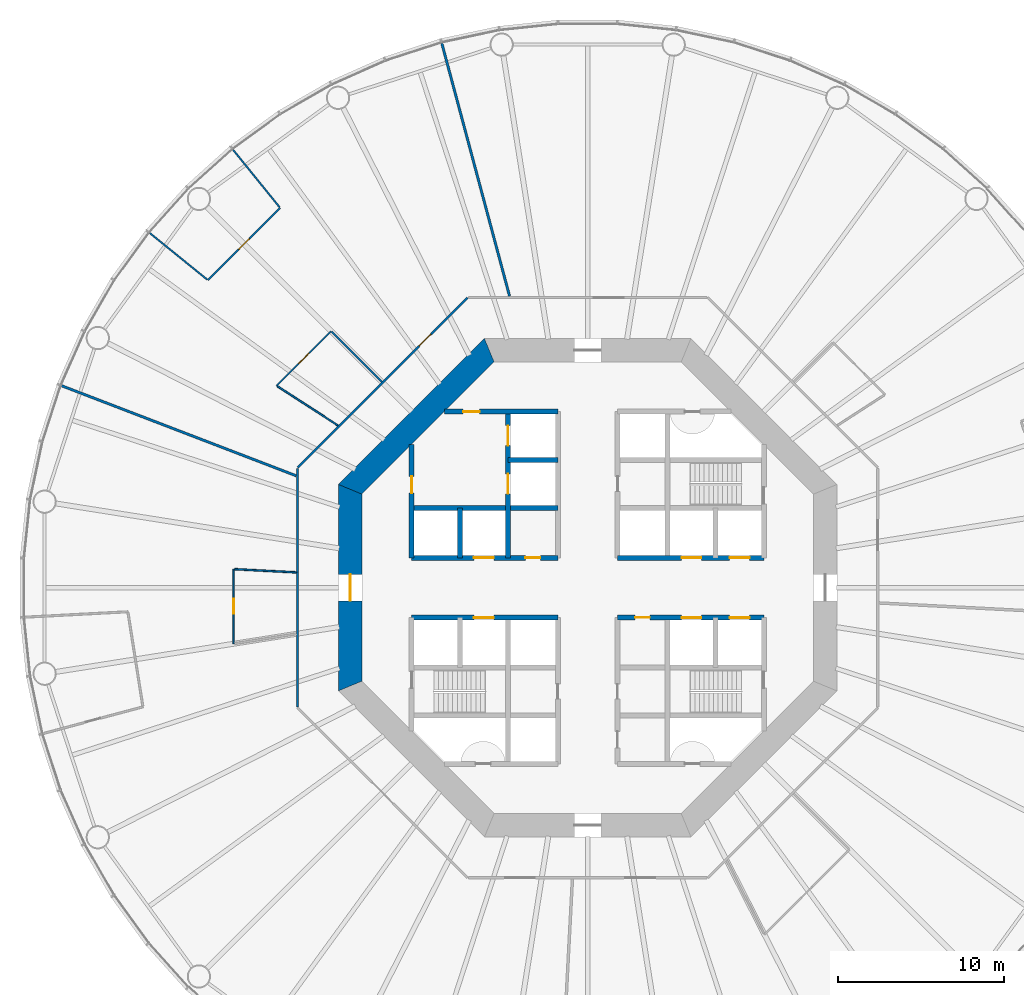
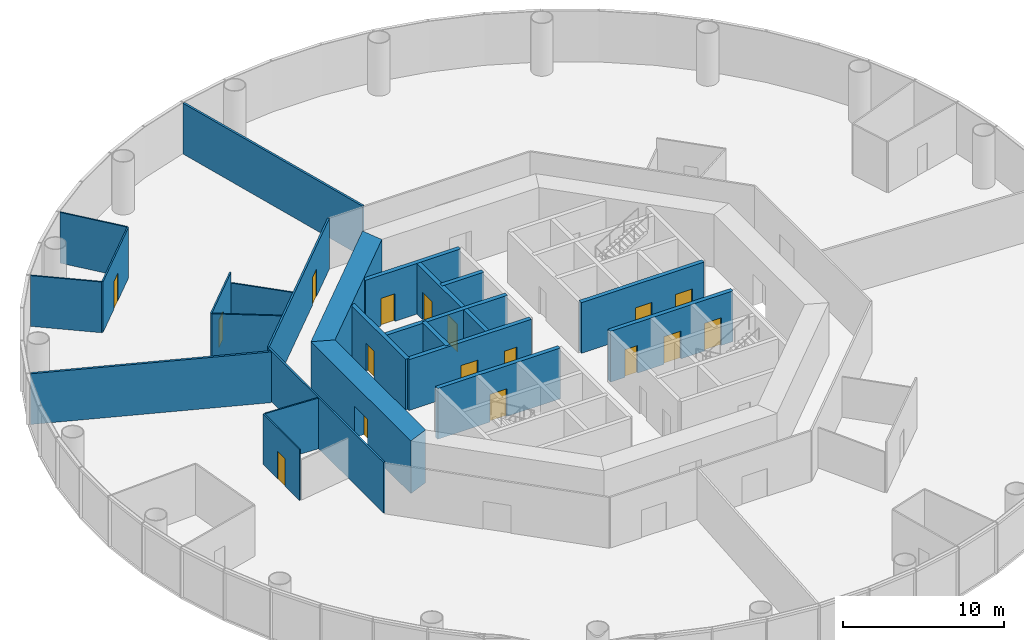
# One storey, part 4 of 12: 24 walls, 17 doors, 17 openings.
"""IFC4 building model written with IfcOpenShell, lengths in metres."""

from ifc_helpers import new_model, si_unit, direction, frame, frame_2d, origin, place, context, subcontext, project, spatial, polyline, rectangle, outline, extrude, material, layer, layer_set, type_object, element, fill, save


model = new_model("IFC4")

# Units and contexts
model_context = context("Model", 3, precision=1e-05, world=origin(), true_north=direction((0.0, 1.0)))
body_context = subcontext(model_context, "Body", "Model", "MODEL_VIEW")
ifc_project = project(units=[si_unit("LENGTHUNIT", "METRE"), si_unit("AREAUNIT", "SQUARE_METRE"), si_unit("VOLUMEUNIT", "CUBIC_METRE"), si_unit("PLANEANGLEUNIT", "RADIAN"), si_unit("MASSUNIT", "GRAM", prefix="KILO")], contexts=[model_context])

# Site, building, storey
site_placement = place(None, origin())
site = spatial("IfcSite", under=ifc_project, at=site_placement, CompositionType="ELEMENT")
building_placement = place(site_placement, origin())
building = spatial("IfcBuilding", under=site, at=building_placement, Name="Entoto Ring Tower", CompositionType="ELEMENT")
storey_placement = place(building_placement, frame((0.0, 0.0, 66.0)))
storey = spatial("IfcBuildingStorey", under=building, at=storey_placement, Name="L14", CompositionType="ELEMENT", Elevation=66.0)

# Wall, openings, doors
ifc_material_1 = material(Name="Concrete C40/50", Category="concrete")
ifc_layer_1 = layer(ifc_material_1, 0.300048828125)
ifc_layer_set_1 = layer_set([ifc_layer_1], Name="Concrete C40/50")
wall_type_1 = type_object("IfcWallType", Name="Core enclosure wall 300 mm reinforced concrete", PredefinedType="SOLIDWALL", material=ifc_layer_set_1)
wall_1_placement = place(storey_placement, frame((85.199951171875, 81.800048828125, 0.0), z_axis=(0.0, 0.0, 1.0), x_axis=(0.0, 1.0, 0.0)))
wall_1 = element("IfcWall", 1, at=wall_1_placement, inside=storey, type_object=wall_type_1, Name="wall-L14-012", PredefinedType="SOLIDWALL", context=body_context, shape_type="SweptSolid", body=[
    extrude(rectangle(XDim=8.800048828125, YDim=0.300048828125, at=frame_2d((4.39990234375, 0.0))), origin(), (0.0, 0.0, 1.0), 3.85009765625),
])
opening_1_placement = place(wall_1_placement, frame((3.85009765625, 0.0, 0.0)))
opening_1 = element("IfcOpeningElement", 2, at=opening_1_placement, cuts=wall_1, Name="Opening LD", PredefinedType="OPENING", context=body_context, shape_type="SweptSolid", body=[
    extrude(rectangle(XDim=1.199951171875, YDim=2.10009765625, at=frame_2d((0.60009765625, 1.050048828125))), frame((0.0, 0.16015625, 0.0), z_axis=(0.0, -1.0, 0.0), x_axis=(1.0, 0.0, 0.0)), (0.0, 0.0, 1.0), 0.320068359375),
])
opening_2_placement = place(wall_1_placement, frame((6.75, 0.0, 0.0)))
opening_2 = element("IfcOpeningElement", 3, at=opening_2_placement, cuts=wall_1, Name="Opening LD", PredefinedType="OPENING", context=body_context, shape_type="SweptSolid", body=[
    extrude(rectangle(XDim=1.199951171875, YDim=2.10009765625, at=frame_2d((0.60009765625, 1.050048828125))), frame((0.0, 0.16015625, 0.0), z_axis=(0.0, -1.0, 0.0), x_axis=(1.0, 0.0, 0.0)), (0.0, 0.0, 1.0), 0.320068359375),
])
ifc_material_2 = material(Name="Steel and glass door leaf", Category="steel")
ifc_layer_2 = layer(ifc_material_2, 0.050048828125)
ifc_layer_set_2 = layer_set([ifc_layer_2], Name="Steel and glass door leaf")
door_type_1 = type_object("IfcDoorType", Name="Landing door 1200 x 2100 sliding", OperationType="DOUBLE_DOOR_SLIDING", PredefinedType="DOOR", material=ifc_layer_set_2)
door_1_placement = place(opening_1_placement, origin())
door_1 = element("IfcDoor", 4, at=door_1_placement, inside=storey, type_object=door_type_1, Name="Landing door FF1", OperationType="SLIDING_TO_RIGHT", OverallHeight=2.10009765625, OverallWidth=1.199951171875, PredefinedType="DOOR", context=body_context, shape_type="SweptSolid", body=[
    extrude(rectangle(XDim=1.199951171875, YDim=2.10009765625, at=frame_2d((0.60009765625, 1.050048828125))), frame((0.0, 0.02490234375, 0.0), z_axis=(0.0, -1.0, 0.0), x_axis=(1.0, 0.0, 0.0)), (0.0, 0.0, 1.0), 0.050048828125),
])
fill(opening_1, door_1)
door_2_placement = place(opening_2_placement, origin())
door_2 = element("IfcDoor", 5, at=door_2_placement, inside=storey, type_object=door_type_1, Name="Landing door FF2", OperationType="SLIDING_TO_RIGHT", OverallHeight=2.10009765625, OverallWidth=1.199951171875, PredefinedType="DOOR", context=body_context, shape_type="SweptSolid", body=[
    extrude(rectangle(XDim=1.199951171875, YDim=2.10009765625, at=frame_2d((0.60009765625, 1.050048828125))), frame((0.0, 0.02490234375, 0.0), z_axis=(0.0, -1.0, 0.0), x_axis=(1.0, 0.0, 0.0)), (0.0, 0.0, 1.0), 0.050048828125),
])
fill(opening_2, door_2)

# Wall
wall_2_placement = place(storey_placement, frame((82.300048828125, 81.800048828125, 0.0), z_axis=(0.0, 0.0, 1.0), x_axis=(0.0, 1.0, 0.0)))
element("IfcWall", 6, at=wall_2_placement, inside=storey, type_object=wall_type_1, Name="wall-L14-014", PredefinedType="SOLIDWALL", context=body_context, shape_type="SweptSolid", body=[
    extrude(rectangle(XDim=3.0, YDim=0.300048828125, at=frame_2d((1.5, 0.0))), origin(), (0.0, 0.0, 1.0), 3.85009765625),
])

# Wall, opening, door
wall_3_placement = place(storey_placement, frame((79.39990234375, 81.800048828125, 0.0), z_axis=(0.0, 0.0, 1.0), x_axis=(0.0, 1.0, 0.0)))
wall_3 = element("IfcWall", 7, at=wall_3_placement, inside=storey, type_object=wall_type_1, Name="wall-L14-016", PredefinedType="SOLIDWALL", context=body_context, shape_type="SweptSolid", body=[
    extrude(rectangle(XDim=6.833251953125, YDim=0.300048828125, at=frame_2d((3.41650390625, 0.0))), origin(), (0.0, 0.0, 1.0), 3.85009765625),
])
opening_3_placement = place(wall_3_placement, frame((3.89990234375, 0.0, 0.0)))
opening_3 = element("IfcOpeningElement", 8, at=opening_3_placement, cuts=wall_3, Name="Opening K-23", PredefinedType="OPENING", context=body_context, shape_type="SweptSolid", body=[
    extrude(rectangle(XDim=1.0, YDim=2.10009765625, at=frame_2d((0.5, 1.050048828125))), frame((0.0, 0.16015625, 0.0), z_axis=(0.0, -1.0, 0.0), x_axis=(1.0, 0.0, 0.0)), (0.0, 0.0, 1.0), 0.320068359375),
])
ifc_material_3 = material(Name="Steel door leaf, fire rated", Category="steel")
ifc_layer_3 = layer(ifc_material_3, 0.050048828125)
ifc_layer_set_3 = layer_set([ifc_layer_3], Name="Steel door leaf, fire rated")
door_type_2 = type_object("IfcDoorType", Name="Fire door FD60 1000 x 2100 single leaf", OperationType="NOTDEFINED", PredefinedType="DOOR", material=ifc_layer_set_3)
door_3_placement = place(opening_3_placement, frame((1.0, 0.0, 0.0), z_axis=(0.0, 0.0, 1.0), x_axis=(-1.0, 0.0, 0.0)))
door_3 = element("IfcDoor", 9, at=door_3_placement, inside=storey, type_object=door_type_2, Name="Door K-23", OperationType="SINGLE_SWING_LEFT", OverallHeight=2.10009765625, OverallWidth=1.0, PredefinedType="DOOR", context=body_context, shape_type="SweptSolid", body=[
    extrude(rectangle(XDim=1.0, YDim=2.10009765625, at=frame_2d((0.5, 1.050048828125))), frame((0.0, 0.02490234375, 0.0), z_axis=(0.0, -1.0, 0.0), x_axis=(1.0, 0.0, 0.0)), (0.0, 0.0, 1.0), 0.050048828125),
])
fill(opening_3, door_3)

wall_4_placement = place(storey_placement, frame((79.39990234375, 78.199951171875, 0.0), z_axis=(0.0, 0.0, 1.0), x_axis=(1.0, 0.0, 0.0)))
wall_4 = element("IfcWall", 10, at=wall_4_placement, inside=storey, type_object=wall_type_1, Name="wall-L14-023", PredefinedType="SOLIDWALL", context=body_context, shape_type="SweptSolid", body=[
    extrude(rectangle(XDim=8.800048828125, YDim=0.300048828125, at=frame_2d((4.39990234375, 0.0))), origin(), (0.0, 0.0, 1.0), 3.85009765625),
])
opening_4_placement = place(wall_4_placement, frame((3.75, 0.0, 0.0)))
opening_4 = element("IfcOpeningElement", 11, at=opening_4_placement, cuts=wall_4, Name="Opening LD", PredefinedType="OPENING", context=body_context, shape_type="SweptSolid", body=[
    extrude(rectangle(XDim=1.199951171875, YDim=2.10009765625, at=frame_2d((0.60009765625, 1.050048828125))), frame((0.0, 0.16015625, 0.0), z_axis=(0.0, -1.0, 0.0), x_axis=(1.0, 0.0, 0.0)), (0.0, 0.0, 1.0), 0.320068359375),
])
door_4_placement = place(opening_4_placement, origin())
door_4 = element("IfcDoor", 12, at=door_4_placement, inside=storey, type_object=door_type_1, Name="Landing door LB6-LR", OperationType="SLIDING_TO_RIGHT", OverallHeight=2.10009765625, OverallWidth=1.199951171875, PredefinedType="DOOR", context=body_context, shape_type="SweptSolid", body=[
    extrude(rectangle(XDim=1.199951171875, YDim=2.10009765625, at=frame_2d((0.60009765625, 1.050048828125))), frame((0.0, 0.02490234375, 0.0), z_axis=(0.0, -1.0, 0.0), x_axis=(1.0, 0.0, 0.0)), (0.0, 0.0, 1.0), 0.050048828125),
])
fill(opening_4, door_4)

# Wall, openings, doors
wall_5_placement = place(storey_placement, frame((91.800048828125, 78.199951171875, 0.0), z_axis=(0.0, 0.0, 1.0), x_axis=(1.0, 0.0, 0.0)))
wall_5 = element("IfcWall", 13, at=wall_5_placement, inside=storey, type_object=wall_type_1, Name="wall-L14-024", PredefinedType="SOLIDWALL", context=body_context, shape_type="SweptSolid", body=[
    extrude(rectangle(XDim=8.800048828125, YDim=0.300048828125, at=frame_2d((4.39990234375, 0.0))), origin(), (0.0, 0.0, 1.0), 3.85009765625),
])
opening_5_placement = place(wall_5_placement, frame((3.85009765625, 0.0, 0.0)))
opening_5 = element("IfcOpeningElement", 14, at=opening_5_placement, cuts=wall_5, Name="Opening LD", PredefinedType="OPENING", context=body_context, shape_type="SweptSolid", body=[
    extrude(rectangle(XDim=1.199951171875, YDim=2.10009765625, at=frame_2d((0.60009765625, 1.050048828125))), frame((0.0, 0.16015625, 0.0), z_axis=(0.0, -1.0, 0.0), x_axis=(1.0, 0.0, 0.0)), (0.0, 0.0, 1.0), 0.320068359375),
])
opening_6_placement = place(wall_5_placement, frame((6.75, 0.0, 0.0)))
opening_6 = element("IfcOpeningElement", 15, at=opening_6_placement, cuts=wall_5, Name="Opening LD", PredefinedType="OPENING", context=body_context, shape_type="SweptSolid", body=[
    extrude(rectangle(XDim=1.199951171875, YDim=2.10009765625, at=frame_2d((0.60009765625, 1.050048828125))), frame((0.0, 0.16015625, 0.0), z_axis=(0.0, -1.0, 0.0), x_axis=(1.0, 0.0, 0.0)), (0.0, 0.0, 1.0), 0.320068359375),
])
opening_7_placement = place(wall_5_placement, frame((1.050048828125, 0.0, 0.0)))
opening_7 = element("IfcOpeningElement", 16, at=opening_7_placement, cuts=wall_5, Name="Opening K-16", PredefinedType="OPENING", context=body_context, shape_type="SweptSolid", body=[
    extrude(rectangle(XDim=0.89990234375, YDim=2.10009765625, at=frame_2d((0.449951171875, 1.050048828125))), frame((0.0, 0.16015625, 0.0), z_axis=(0.0, -1.0, 0.0), x_axis=(1.0, 0.0, 0.0)), (0.0, 0.0, 1.0), 0.320068359375),
])
ifc_material_4 = material(Name="Steel door leaf, fire rated", Category="steel")
ifc_layer_4 = layer(ifc_material_4, 0.050048828125)
ifc_layer_set_4 = layer_set([ifc_layer_4], Name="Steel door leaf, fire rated")
door_type_3 = type_object("IfcDoorType", Name="Core door 900 x 2100 single leaf", OperationType="NOTDEFINED", PredefinedType="DOOR", material=ifc_layer_set_4)
door_5_placement = place(opening_7_placement, frame((0.89990234375, 0.0, 0.0), z_axis=(0.0, 0.0, 1.0), x_axis=(-1.0, 0.0, 0.0)))
door_5 = element("IfcDoor", 17, at=door_5_placement, inside=storey, type_object=door_type_3, Name="Door K-16", OperationType="SINGLE_SWING_RIGHT", OverallHeight=2.10009765625, OverallWidth=0.89990234375, PredefinedType="DOOR", context=body_context, shape_type="SweptSolid", body=[
    extrude(rectangle(XDim=0.89990234375, YDim=2.10009765625, at=frame_2d((0.449951171875, 1.050048828125))), frame((0.0, 0.02490234375, 0.0), z_axis=(0.0, -1.0, 0.0), x_axis=(1.0, 0.0, 0.0)), (0.0, 0.0, 1.0), 0.050048828125),
])
fill(opening_7, door_5)
door_6_placement = place(opening_5_placement, origin())
door_6 = element("IfcDoor", 18, at=door_6_placement, inside=storey, type_object=door_type_1, Name="Landing door LB4-LR", OperationType="SLIDING_TO_RIGHT", OverallHeight=2.10009765625, OverallWidth=1.199951171875, PredefinedType="DOOR", context=body_context, shape_type="SweptSolid", body=[
    extrude(rectangle(XDim=1.199951171875, YDim=2.10009765625, at=frame_2d((0.60009765625, 1.050048828125))), frame((0.0, 0.02490234375, 0.0), z_axis=(0.0, -1.0, 0.0), x_axis=(1.0, 0.0, 0.0)), (0.0, 0.0, 1.0), 0.050048828125),
])
fill(opening_5, door_6)
door_7_placement = place(opening_6_placement, origin())
door_7 = element("IfcDoor", 19, at=door_7_placement, inside=storey, type_object=door_type_1, Name="Landing door LB5-LR", OperationType="SLIDING_TO_RIGHT", OverallHeight=2.10009765625, OverallWidth=1.199951171875, PredefinedType="DOOR", context=body_context, shape_type="SweptSolid", body=[
    extrude(rectangle(XDim=1.199951171875, YDim=2.10009765625, at=frame_2d((0.60009765625, 1.050048828125))), frame((0.0, 0.02490234375, 0.0), z_axis=(0.0, -1.0, 0.0), x_axis=(1.0, 0.0, 0.0)), (0.0, 0.0, 1.0), 0.050048828125),
])
fill(opening_6, door_7)

wall_6_placement = place(storey_placement, frame((79.39990234375, 81.800048828125, 0.0), z_axis=(0.0, 0.0, 1.0), x_axis=(1.0, 0.0, 0.0)))
wall_6 = element("IfcWall", 20, at=wall_6_placement, inside=storey, type_object=wall_type_1, Name="wall-L14-025", PredefinedType="SOLIDWALL", context=body_context, shape_type="SweptSolid", body=[
    extrude(rectangle(XDim=8.800048828125, YDim=0.300048828125, at=frame_2d((4.39990234375, 0.0))), origin(), (0.0, 0.0, 1.0), 3.85009765625),
])
opening_8_placement = place(wall_6_placement, frame((3.75, 0.0, 0.0)))
opening_8 = element("IfcOpeningElement", 21, at=opening_8_placement, cuts=wall_6, Name="Opening LD", PredefinedType="OPENING", context=body_context, shape_type="SweptSolid", body=[
    extrude(rectangle(XDim=1.199951171875, YDim=2.10009765625, at=frame_2d((0.60009765625, 1.050048828125))), frame((0.0, 0.16015625, 0.0), z_axis=(0.0, -1.0, 0.0), x_axis=(1.0, 0.0, 0.0)), (0.0, 0.0, 1.0), 0.320068359375),
])
opening_9_placement = place(wall_6_placement, frame((6.85009765625, 0.0, 0.0)))
opening_9 = element("IfcOpeningElement", 22, at=opening_9_placement, cuts=wall_6, Name="Opening K-15", PredefinedType="OPENING", context=body_context, shape_type="SweptSolid", body=[
    extrude(rectangle(XDim=0.89990234375, YDim=2.10009765625, at=frame_2d((0.449951171875, 1.050048828125))), frame((0.0, 0.16015625, 0.0), z_axis=(0.0, -1.0, 0.0), x_axis=(1.0, 0.0, 0.0)), (0.0, 0.0, 1.0), 0.320068359375),
])
door_8_placement = place(opening_9_placement, frame((0.89990234375, 0.0, 0.0), z_axis=(0.0, 0.0, 1.0), x_axis=(-1.0, 0.0, 0.0)))
door_8 = element("IfcDoor", 23, at=door_8_placement, inside=storey, type_object=door_type_3, Name="Door K-15", OperationType="SINGLE_SWING_RIGHT", OverallHeight=2.10009765625, OverallWidth=0.89990234375, PredefinedType="DOOR", context=body_context, shape_type="SweptSolid", body=[
    extrude(rectangle(XDim=0.89990234375, YDim=2.10009765625, at=frame_2d((0.449951171875, 1.050048828125))), frame((0.0, 0.02490234375, 0.0), z_axis=(0.0, -1.0, 0.0), x_axis=(1.0, 0.0, 0.0)), (0.0, 0.0, 1.0), 0.050048828125),
])
fill(opening_9, door_8)
door_9_placement = place(opening_8_placement, origin())
door_9 = element("IfcDoor", 24, at=door_9_placement, inside=storey, type_object=door_type_1, Name="Landing door LB3-LR", OperationType="SLIDING_TO_RIGHT", OverallHeight=2.10009765625, OverallWidth=1.199951171875, PredefinedType="DOOR", context=body_context, shape_type="SweptSolid", body=[
    extrude(rectangle(XDim=1.199951171875, YDim=2.10009765625, at=frame_2d((0.60009765625, 1.050048828125))), frame((0.0, 0.02490234375, 0.0), z_axis=(0.0, -1.0, 0.0), x_axis=(1.0, 0.0, 0.0)), (0.0, 0.0, 1.0), 0.050048828125),
])
fill(opening_8, door_9)

wall_7_placement = place(storey_placement, frame((91.800048828125, 81.800048828125, 0.0), z_axis=(0.0, 0.0, 1.0), x_axis=(1.0, 0.0, 0.0)))
wall_7 = element("IfcWall", 25, at=wall_7_placement, inside=storey, type_object=wall_type_1, Name="wall-L14-026", PredefinedType="SOLIDWALL", context=body_context, shape_type="SweptSolid", body=[
    extrude(rectangle(XDim=8.800048828125, YDim=0.300048828125, at=frame_2d((4.39990234375, 0.0))), origin(), (0.0, 0.0, 1.0), 3.85009765625),
])
opening_10_placement = place(wall_7_placement, frame((3.85009765625, 0.0, 0.0)))
opening_10 = element("IfcOpeningElement", 26, at=opening_10_placement, cuts=wall_7, Name="Opening LD", PredefinedType="OPENING", context=body_context, shape_type="SweptSolid", body=[
    extrude(rectangle(XDim=1.199951171875, YDim=2.10009765625, at=frame_2d((0.60009765625, 1.050048828125))), frame((0.0, 0.16015625, 0.0), z_axis=(0.0, -1.0, 0.0), x_axis=(1.0, 0.0, 0.0)), (0.0, 0.0, 1.0), 0.320068359375),
])
opening_11_placement = place(wall_7_placement, frame((6.75, 0.0, 0.0)))
opening_11 = element("IfcOpeningElement", 27, at=opening_11_placement, cuts=wall_7, Name="Opening LD", PredefinedType="OPENING", context=body_context, shape_type="SweptSolid", body=[
    extrude(rectangle(XDim=1.199951171875, YDim=2.10009765625, at=frame_2d((0.60009765625, 1.050048828125))), frame((0.0, 0.16015625, 0.0), z_axis=(0.0, -1.0, 0.0), x_axis=(1.0, 0.0, 0.0)), (0.0, 0.0, 1.0), 0.320068359375),
])
door_10_placement = place(opening_10_placement, origin())
door_10 = element("IfcDoor", 28, at=door_10_placement, inside=storey, type_object=door_type_1, Name="Landing door LB1-LR", OperationType="SLIDING_TO_RIGHT", OverallHeight=2.10009765625, OverallWidth=1.199951171875, PredefinedType="DOOR", context=body_context, shape_type="SweptSolid", body=[
    extrude(rectangle(XDim=1.199951171875, YDim=2.10009765625, at=frame_2d((0.60009765625, 1.050048828125))), frame((0.0, 0.02490234375, 0.0), z_axis=(0.0, -1.0, 0.0), x_axis=(1.0, 0.0, 0.0)), (0.0, 0.0, 1.0), 0.050048828125),
])
fill(opening_10, door_10)
door_11_placement = place(opening_11_placement, origin())
door_11 = element("IfcDoor", 29, at=door_11_placement, inside=storey, type_object=door_type_1, Name="Landing door LB2-LR", OperationType="SLIDING_TO_RIGHT", OverallHeight=2.10009765625, OverallWidth=1.199951171875, PredefinedType="DOOR", context=body_context, shape_type="SweptSolid", body=[
    extrude(rectangle(XDim=1.199951171875, YDim=2.10009765625, at=frame_2d((0.60009765625, 1.050048828125))), frame((0.0, 0.02490234375, 0.0), z_axis=(0.0, -1.0, 0.0), x_axis=(1.0, 0.0, 0.0)), (0.0, 0.0, 1.0), 0.050048828125),
])
fill(opening_11, door_11)

# Walls
wall_8_placement = place(storey_placement, frame((79.39990234375, 84.800048828125, 0.0), z_axis=(0.0, 0.0, 1.0), x_axis=(1.0, 0.0, 0.0)))
element("IfcWall", 30, at=wall_8_placement, inside=storey, type_object=wall_type_1, Name="wall-L14-027", PredefinedType="SOLIDWALL", context=body_context, shape_type="SweptSolid", body=[
    extrude(rectangle(XDim=8.800048828125, YDim=0.300048828125, at=frame_2d((4.39990234375, 0.0))), origin(), (0.0, 0.0, 1.0), 3.85009765625),
])
wall_9_placement = place(storey_placement, frame((85.199951171875, 87.699951171875, 0.0), z_axis=(0.0, 0.0, 1.0), x_axis=(1.0, 0.0, 0.0)))
element("IfcWall", 31, at=wall_9_placement, inside=storey, type_object=wall_type_1, Name="wall-L14-029", PredefinedType="SOLIDWALL", context=body_context, shape_type="SweptSolid", body=[
    extrude(rectangle(XDim=3.0, YDim=0.300048828125, at=frame_2d((1.5, 0.0))), origin(), (0.0, 0.0, 1.0), 3.85009765625),
])

# Wall, opening, door
wall_10_placement = place(storey_placement, frame((81.36669921875, 90.60009765625, 0.0), z_axis=(0.0, 0.0, 1.0), x_axis=(1.0, 0.0, 0.0)))
wall_10 = element("IfcWall", 32, at=wall_10_placement, inside=storey, type_object=wall_type_1, Name="wall-L14-031", PredefinedType="SOLIDWALL", context=body_context, shape_type="SweptSolid", body=[
    extrude(rectangle(XDim=6.833251953125, YDim=0.300048828125, at=frame_2d((3.41650390625, 0.0))), origin(), (0.0, 0.0, 1.0), 3.85009765625),
])
opening_12_placement = place(wall_10_placement, frame((1.13330078125, 0.0, 0.0)))
opening_12 = element("IfcOpeningElement", 33, at=opening_12_placement, cuts=wall_10, Name="Opening K-73", PredefinedType="OPENING", context=body_context, shape_type="SweptSolid", body=[
    extrude(rectangle(XDim=1.0, YDim=2.10009765625, at=frame_2d((0.5, 1.050048828125))), frame((0.0, 0.16015625, 0.0), z_axis=(0.0, -1.0, 0.0), x_axis=(1.0, 0.0, 0.0)), (0.0, 0.0, 1.0), 0.320068359375),
])
door_12_placement = place(opening_12_placement, frame((1.0, 0.0, 0.0), z_axis=(0.0, 0.0, 1.0), x_axis=(-1.0, 0.0, 0.0)))
door_12 = element("IfcDoor", 34, at=door_12_placement, inside=storey, type_object=door_type_2, Name="Door K-73", OperationType="SINGLE_SWING_RIGHT", OverallHeight=2.10009765625, OverallWidth=1.0, PredefinedType="DOOR", context=body_context, shape_type="SweptSolid", body=[
    extrude(rectangle(XDim=1.0, YDim=2.10009765625, at=frame_2d((0.5, 1.050048828125))), frame((0.0, 0.02490234375, 0.0), z_axis=(0.0, -1.0, 0.0), x_axis=(1.0, 0.0, 0.0)), (0.0, 0.0, 1.0), 0.050048828125),
])
fill(opening_12, door_12)

# Wall
ifc_material_5 = material(Name="Concrete C60/75", Category="concrete")
ifc_layer_5 = layer(ifc_material_5, 1.39990234375)
ifc_layer_set_5 = layer_set([ifc_layer_5], Name="Concrete C60/75")
wall_type_2 = type_object("IfcWallType", Name="Core shear wall 1400 mm reinforced concrete C60/75", PredefinedType="SHEAR", material=ifc_layer_set_5)
wall_11_placement = place(storey_placement, frame((84.07666015625, 94.300048828125, 0.0), z_axis=(0.0, 0.0, 1.0), x_axis=(-0.707106781187, -0.707106781187, 0.0)))
element("IfcWall", 35, at=wall_11_placement, inside=storey, type_object=wall_type_2, Name="wall-L14-core-3", PredefinedType="SHEAR", context=body_context, shape_type="SweptSolid", body=[
    extrude(outline(polyline([(-0.2900390625, -0.699951171875), (12.136474609375, -0.699951171875), (11.556396484375, 0.699951171875), (0.2900390625, 0.699951171875), (-0.2900390625, -0.699951171875)])), origin(), (0.0, 0.0, 1.0), 4.0),
])

# Wall, opening, door
wall_12_placement = place(storey_placement, frame((75.699951171875, 85.92333984375, 0.0), z_axis=(0.0, 0.0, 1.0), x_axis=(0.0, -1.0, 0.0)))
wall_12 = element("IfcWall", 36, at=wall_12_placement, inside=storey, type_object=wall_type_2, Name="wall-L14-core-4", PredefinedType="SHEAR", context=body_context, shape_type="SweptSolid", body=[
    extrude(outline(polyline([(-0.2900390625, -0.699951171875), (12.13671875, -0.699951171875), (11.556640625, 0.699951171875), (0.2900390625, 0.699951171875), (-0.2900390625, -0.699951171875)])), origin(), (0.0, 0.0, 1.0), 4.0),
])
opening_13_placement = place(wall_12_placement, frame((5.123291015625, 0.0, 0.0)))
opening_13 = element("IfcOpeningElement", 37, at=opening_13_placement, cuts=wall_12, Name="Opening K-03", PredefinedType="OPENING", context=body_context, shape_type="SweptSolid", body=[
    extrude(rectangle(XDim=1.60009765625, YDim=2.39990234375, at=frame_2d((0.800048828125, 1.199951171875))), frame((0.0, 0.7099609375, 0.0), z_axis=(0.0, -1.0, 0.0), x_axis=(1.0, 0.0, 0.0)), (0.0, 0.0, 1.0), 1.419921875),
])
ifc_material_6 = material(Name="Steel door leaf, fire rated", Category="steel")
ifc_layer_6 = layer(ifc_material_6, 0.050048828125)
ifc_layer_set_6 = layer_set([ifc_layer_6], Name="Steel door leaf, fire rated")
door_type_4 = type_object("IfcDoorType", Name="Entrance door FD60 1600 x 2400 double leaf", OperationType="DOUBLE_DOOR_SINGLE_SWING", PredefinedType="DOOR", material=ifc_layer_set_6)
door_13_placement = place(opening_13_placement, origin())
door_13 = element("IfcDoor", 38, at=door_13_placement, inside=storey, type_object=door_type_4, Name="Entrance door K-03", OperationType="DOUBLE_DOOR_SINGLE_SWING", OverallHeight=2.39990234375, OverallWidth=1.60009765625, PredefinedType="DOOR", context=body_context, shape_type="SweptSolid", body=[
    extrude(rectangle(XDim=1.60009765625, YDim=2.39990234375, at=frame_2d((0.800048828125, 1.199951171875))), frame((0.0, 0.02490234375, 0.0), z_axis=(0.0, -1.0, 0.0), x_axis=(1.0, 0.0, 0.0)), (0.0, 0.0, 1.0), 0.050048828125),
])
fill(opening_13, door_13)

ifc_material_7 = material(Name="Fire-resisting plasterboard on steel studs", Category="steel")
ifc_layer_7 = layer(ifc_material_7, 0.125)
ifc_layer_set_7 = layer_set([ifc_layer_7], Name="Fire-resisting plasterboard on steel studs")
wall_type_3 = type_object("IfcWallType", Name="Corridor wall 125 mm one-hour plasterboard on steel studs", PredefinedType="PARTITIONING", material=ifc_layer_set_7)
wall_13_placement = place(storey_placement, frame((72.53759765625, 87.233154296875, 0.0), z_axis=(0.0, 0.0, 1.0), x_axis=(0.707106781187, 0.707106781187, 0.0)))
wall_13 = element("IfcWall", 39, at=wall_13_placement, inside=storey, type_object=wall_type_3, Name="partition-L14-001", PredefinedType="PARTITIONING", context=body_context, shape_type="SweptSolid", body=[
    extrude(rectangle(XDim=14.46630859375, YDim=0.125, at=frame_2d((7.233154296875, 0.0))), origin(), (0.0, 0.0, 1.0), 3.85009765625),
])
opening_14_placement = place(wall_13_placement, frame((10.349853515625, 0.0, 0.0)))
opening_14 = element("IfcOpeningElement", 40, at=opening_14_placement, cuts=wall_13, Name="Opening A06-D05", PredefinedType="OPENING", context=body_context, shape_type="SweptSolid", body=[
    extrude(rectangle(XDim=1.0, YDim=2.10009765625, at=frame_2d((0.5, 1.050048828125))), frame((0.0, 0.072509765625, 0.0), z_axis=(0.0, -1.0, 0.0), x_axis=(1.0, 0.0, 0.0)), (0.0, 0.0, 1.0), 0.14501953125),
])
ifc_material_8 = material(Name="Fire-resisting timber door set", Category="wood")
door_type_5 = type_object("IfcDoorType", Name="Door 1000 x 2100 single leaf FD30S fire door", OperationType="NOTDEFINED", PredefinedType="DOOR", material=ifc_material_8)
door_14_placement = place(opening_14_placement, origin())
door_14 = element("IfcDoor", 41, at=door_14_placement, inside=storey, type_object=door_type_5, Name="Door A06-D05", OperationType="SINGLE_SWING_LEFT", OverallHeight=2.10009765625, OverallWidth=1.0, PredefinedType="DOOR", context=body_context, shape_type="SweptSolid", body=[
    extrude(rectangle(XDim=1.0, YDim=2.10009765625, at=frame_2d((0.5, 1.050048828125))), frame((0.0, 0.02490234375, 0.0), z_axis=(0.0, -1.0, 0.0), x_axis=(1.0, 0.0, 0.0)), (0.0, 0.0, 1.0), 0.050048828125),
])
fill(opening_14, door_14)

# Wall
wall_14_placement = place(storey_placement, frame((72.53759765625, 72.810791015625, 0.0), z_axis=(0.0, 0.0, 1.0), x_axis=(0.0, 1.0, 0.0)))
element("IfcWall", 42, at=wall_14_placement, inside=storey, type_object=wall_type_3, Name="partition-L14-005", PredefinedType="PARTITIONING", context=body_context, shape_type="SweptSolid", body=[
    extrude(rectangle(XDim=14.37841796875, YDim=0.125, at=frame_2d((7.189208984375, 0.0))), origin(), (0.0, 0.0, 1.0), 3.85009765625),
])

# Wall, opening, door
ifc_material_9 = material(Name="Plasterboard on steel studs", Category="steel")
ifc_layer_8 = layer(ifc_material_9, 0.10009765625)
ifc_layer_set_8 = layer_set([ifc_layer_8], Name="Plasterboard on steel studs")
wall_type_4 = type_object("IfcWallType", Name="Partition 100 mm plasterboard on steel studs", PredefinedType="PARTITIONING", material=ifc_layer_set_8)
wall_15_placement = place(storey_placement, frame((67.136474609375, 98.5146484375, 0.0), z_axis=(0.0, 0.0, 1.0), x_axis=(0.707106781187, 0.707106781187, 0.0)))
wall_15 = element("IfcWall", 43, at=wall_15_placement, inside=storey, type_object=wall_type_4, Name="partition-L14-016", PredefinedType="PARTITIONING", context=body_context, shape_type="SweptSolid", body=[
    extrude(rectangle(XDim=6.150146484375, YDim=0.10009765625, at=frame_2d((3.0751953125, 0.0))), origin(), (0.0, 0.0, 1.0), 3.85009765625),
])
opening_15_placement = place(wall_15_placement, frame((2.625244140625, 0.0, 0.0)))
opening_15 = element("IfcOpeningElement", 44, at=opening_15_placement, cuts=wall_15, Name="Opening A06-D07", PredefinedType="OPENING", context=body_context, shape_type="SweptSolid", body=[
    extrude(rectangle(XDim=0.89990234375, YDim=2.10009765625, at=frame_2d((0.449951171875, 1.050048828125))), frame((0.0, 0.06005859375, 0.0), z_axis=(0.0, -1.0, 0.0), x_axis=(1.0, 0.0, 0.0)), (0.0, 0.0, 1.0), 0.1201171875),
])
ifc_material_10 = material(Name="Veneered timber door leaf in timber frame", Category="wood")
door_type_6 = type_object("IfcDoorType", Name="Door 900 x 2100 single leaf timber veneer", OperationType="NOTDEFINED", PredefinedType="DOOR", material=ifc_material_10)
door_15_placement = place(opening_15_placement, origin())
door_15 = element("IfcDoor", 45, at=door_15_placement, inside=storey, type_object=door_type_6, Name="Door A06-D07", OperationType="SINGLE_SWING_LEFT", OverallHeight=2.10009765625, OverallWidth=0.89990234375, PredefinedType="DOOR", context=body_context, shape_type="SweptSolid", body=[
    extrude(rectangle(XDim=0.89990234375, YDim=2.10009765625, at=frame_2d((0.449951171875, 1.050048828125))), frame((0.0, 0.02490234375, 0.0), z_axis=(0.0, -1.0, 0.0), x_axis=(1.0, 0.0, 0.0)), (0.0, 0.0, 1.0), 0.050048828125),
])
fill(opening_15, door_15)

wall_16_placement = place(storey_placement, frame((71.272216796875, 92.162109375, 0.0), z_axis=(0.0, 0.0, 1.0), x_axis=(0.707080487358, 0.707133074037, 0.0)))
wall_16 = element("IfcWall", 46, at=wall_16_placement, inside=storey, type_object=wall_type_4, Name="partition-L14-024", PredefinedType="PARTITIONING", context=body_context, shape_type="SweptSolid", body=[
    extrude(rectangle(XDim=4.642578125, YDim=0.10009765625, at=frame_2d((2.3212890625, 0.0))), origin(), (0.0, 0.0, 1.0), 3.85009765625),
])
opening_16_placement = place(wall_16_placement, frame((1.871337890625, 0.0, 0.0)))
opening_16 = element("IfcOpeningElement", 47, at=opening_16_placement, cuts=wall_16, Name="Opening A06-D06", PredefinedType="OPENING", context=body_context, shape_type="SweptSolid", body=[
    extrude(rectangle(XDim=0.89990234375, YDim=2.10009765625, at=frame_2d((0.449951171875, 1.050048828125))), frame((0.0, 0.06005859375, 0.0), z_axis=(0.0, -1.0, 0.0), x_axis=(1.0, 0.0, 0.0)), (0.0, 0.0, 1.0), 0.1201171875),
])
door_16_placement = place(opening_16_placement, frame((0.89990234375, 0.0, 0.0), z_axis=(0.0, 0.0, 1.0), x_axis=(-1.0, 0.0, 0.0)))
door_16 = element("IfcDoor", 48, at=door_16_placement, inside=storey, type_object=door_type_6, Name="Door A06-D06", OperationType="SINGLE_SWING_RIGHT", OverallHeight=2.10009765625, OverallWidth=0.89990234375, PredefinedType="DOOR", context=body_context, shape_type="SweptSolid", body=[
    extrude(rectangle(XDim=0.89990234375, YDim=2.10009765625, at=frame_2d((0.449951171875, 1.050048828125))), frame((0.0, 0.02490234375, 0.0), z_axis=(0.0, -1.0, 0.0), x_axis=(1.0, 0.0, 0.0)), (0.0, 0.0, 1.0), 0.050048828125),
])
fill(opening_16, door_16)

# Walls
for number, where, z_axis, x_axis, name in (
    (49, (67.097900390625, 98.5458984375, 0.0), (0.0, 0.0, 1.0), (-0.777152019067, 0.629312910451, 0.0), "partition-L14-025"),
    (50, (71.4541015625, 102.902099609375, 0.0), (0.0, 0.0, 1.0), (-0.629312910451, 0.777152019067, 0.0), "partition-L14-026"),
):
    element("IfcWall", number, at=place(storey_placement, frame(where, z_axis=z_axis, x_axis=x_axis)), inside=storey, type_object=wall_type_4, Name=name, PredefinedType="PARTITIONING", context=body_context, shape_type="SweptSolid", body=[
        extrude(rectangle(XDim=4.47021484375, YDim=0.10009765625, at=frame_2d((2.235107421875, 0.0))), origin(), (0.0, 0.0, 1.0), 3.85009765625),
    ])

# Wall, opening, door
wall_17_placement = place(storey_placement, frame((68.6875, 76.62451171875, 0.0), z_axis=(0.0, 0.0, 1.0), x_axis=(0.0, 1.0, 0.0)))
wall_17 = element("IfcWall", 51, at=wall_17_placement, inside=storey, type_object=wall_type_4, Name="partition-L14-027", PredefinedType="PARTITIONING", context=body_context, shape_type="SweptSolid", body=[
    extrude(rectangle(XDim=4.492431640625, YDim=0.10009765625, at=frame_2d((2.24609375, 0.0))), origin(), (0.0, 0.0, 1.0), 3.85009765625),
])
opening_17_placement = place(wall_17_placement, frame((1.79638671875, 0.0, 0.0)))
opening_17 = element("IfcOpeningElement", 52, at=opening_17_placement, cuts=wall_17, Name="Opening A06-D10", PredefinedType="OPENING", context=body_context, shape_type="SweptSolid", body=[
    extrude(rectangle(XDim=0.89990234375, YDim=2.10009765625, at=frame_2d((0.449951171875, 1.050048828125))), frame((0.0, 0.06005859375, 0.0), z_axis=(0.0, -1.0, 0.0), x_axis=(1.0, 0.0, 0.0)), (0.0, 0.0, 1.0), 0.1201171875),
])
door_17_placement = place(opening_17_placement, frame((0.89990234375, 0.0, 0.0), z_axis=(0.0, 0.0, 1.0), x_axis=(-1.0, 0.0, 0.0)))
door_17 = element("IfcDoor", 53, at=door_17_placement, inside=storey, type_object=door_type_6, Name="Door A06-D10", OperationType="SINGLE_SWING_RIGHT", OverallHeight=2.10009765625, OverallWidth=0.89990234375, PredefinedType="DOOR", context=body_context, shape_type="SweptSolid", body=[
    extrude(rectangle(XDim=0.89990234375, YDim=2.10009765625, at=frame_2d((0.449951171875, 1.050048828125))), frame((0.0, 0.02490234375, 0.0), z_axis=(0.0, -1.0, 0.0), x_axis=(1.0, 0.0, 0.0)), (0.0, 0.0, 1.0), 0.050048828125),
])
fill(opening_17, door_17)

# Walls
wall_18_placement = place(storey_placement, frame((74.965087890625, 89.763916015625, 0.0), z_axis=(0.0, 0.0, 1.0), x_axis=(-0.838694049791, 0.544602874437, 0.0)))
element("IfcWall", 54, at=wall_18_placement, inside=storey, type_object=wall_type_4, Name="partition-L14-028", PredefinedType="PARTITIONING", context=body_context, shape_type="SweptSolid", body=[
    extrude(rectangle(XDim=4.341796875, YDim=0.10009765625, at=frame_2d((2.1708984375, 0.0))), origin(), (0.0, 0.0, 1.0), 3.85009765625),
])
wall_19_placement = place(storey_placement, frame((72.472412109375, 80.918701171875, 0.0), z_axis=(0.0, 0.0, 1.0), x_axis=(-0.998630252035, 0.052322267915, 0.0)))
element("IfcWall", 55, at=wall_19_placement, inside=storey, type_object=wall_type_4, Name="partition-L14-032", PredefinedType="PARTITIONING", context=body_context, shape_type="SweptSolid", body=[
    extrude(rectangle(XDim=3.737548828125, YDim=0.10009765625, at=frame_2d((1.86865234375, 0.0))), origin(), (0.0, 0.0, 1.0), 3.85009765625),
])
ifc_material_11 = material(Name="Plasterboard on steel studs", Category="steel")
ifc_layer_9 = layer(ifc_material_11, 0.10009765625)
ifc_layer_set_9 = layer_set([ifc_layer_9], Name="Plasterboard on steel studs")
wall_type_5 = type_object("IfcWallType", Name="Partition 100 mm plasterboard on steel studs, 3050 mm high", PredefinedType="PARTITIONING", material=ifc_layer_set_9)
wall_20_placement = place(storey_placement, frame((77.60791015625, 92.39208984375, 0.0), z_axis=(0.0, 0.0, 1.0), x_axis=(-0.707106781187, 0.707106781187, 0.0)))
element("IfcWall", 56, at=wall_20_placement, inside=storey, type_object=wall_type_5, Name="partition-L14-030", PredefinedType="PARTITIONING", context=body_context, shape_type="SweptSolid", body=[
    extrude(rectangle(XDim=4.267578125, YDim=0.10009765625, at=frame_2d((2.1337890625, 0.0))), origin(), (0.0, 0.0, 1.0), 3.050048828125),
])
ifc_material_12 = material(Name="Fire-resisting acoustic plasterboard on steel studs", Category="steel")
ifc_layer_10 = layer(ifc_material_12, 0.14990234375)
ifc_layer_set_10 = layer_set([ifc_layer_10], Name="Fire-resisting acoustic plasterboard on steel studs")
wall_type_6 = type_object("IfcWallType", Name="Party wall 150 mm one-hour acoustic plasterboard on steel studs", PredefinedType="PARTITIONING", material=ifc_layer_set_10)
wall_21_placement = place(storey_placement, frame((85.299072265625, 97.544189453125, 0.0), z_axis=(0.0, 0.0, 1.0), x_axis=(-0.258813434598, 0.965927329602, 0.0)))
element("IfcWall", 57, at=wall_21_placement, inside=storey, type_object=wall_type_6, Name="partition-L14-011", PredefinedType="PARTITIONING", context=body_context, shape_type="SweptSolid", body=[
    extrude(rectangle(XDim=15.77685546875, YDim=0.14990234375, at=frame_2d((7.888427734375, 0.0))), origin(), (0.0, 0.0, 1.0), 3.85009765625),
])
wall_22_placement = place(storey_placement, frame((72.4482421875, 86.737548828125, 0.0), z_axis=(0.0, 0.0, 1.0), x_axis=(-0.933580645435, 0.358367379191, 0.0)))
element("IfcWall", 58, at=wall_22_placement, inside=storey, type_object=wall_type_6, Name="partition-L14-012", PredefinedType="PARTITIONING", context=body_context, shape_type="SweptSolid", body=[
    extrude(rectangle(XDim=15.1396484375, YDim=0.14990234375, at=frame_2d((7.56982421875, 0.0))), origin(), (0.0, 0.0, 1.0), 3.85009765625),
])

save(model, "model.ifc")
